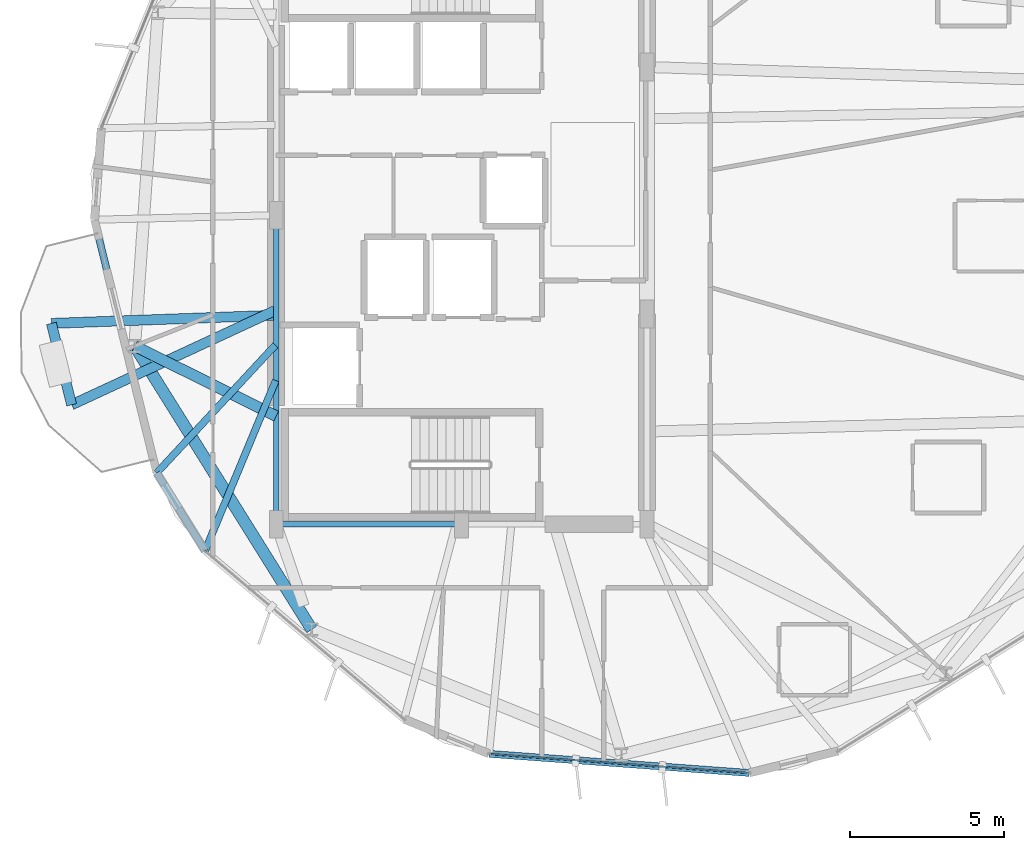
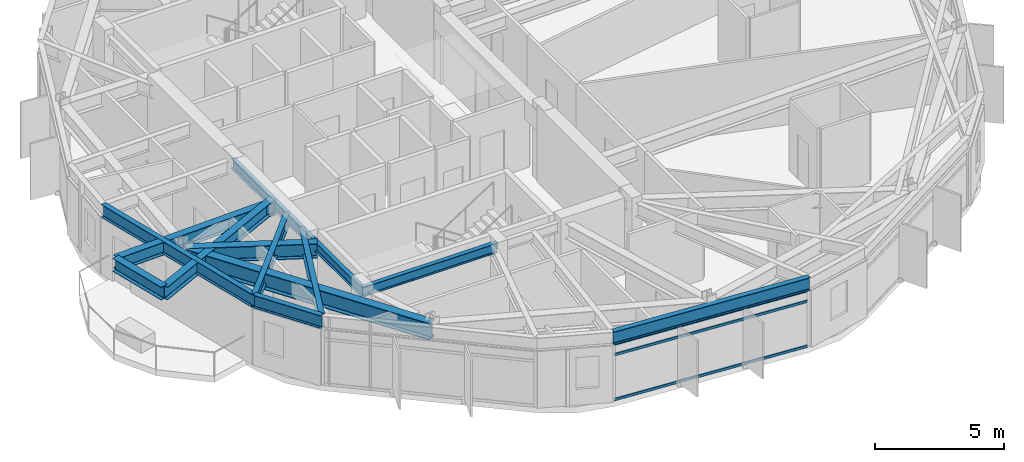
# One storey, part 3 of 21: 12 beams, 3 members, 1 element without a shape of its own.
"""IFC4 building model written with IfcOpenShell, lengths in metres."""

from ifc_helpers import new_model, si_unit, direction, frame, origin, origin_2d, place, context, subcontext, project, spatial, hollow_rectangle, i_section, extrude, material, layer, layer_set, material_profile, profile_set, type_object, element, aggregate, save


model = new_model("IFC4")

# Units and contexts
model_context = context("Model", 3, precision=1e-05, world=origin(), true_north=direction((0.0, 1.0)))
body_context = subcontext(model_context, "Body", "Model", "MODEL_VIEW")
ifc_project = project(units=[si_unit("LENGTHUNIT", "METRE"), si_unit("AREAUNIT", "SQUARE_METRE"), si_unit("VOLUMEUNIT", "CUBIC_METRE"), si_unit("PLANEANGLEUNIT", "RADIAN"), si_unit("MASSUNIT", "GRAM", prefix="KILO")], contexts=[model_context])

# Site, building, storey
site_placement = place(None, origin())
site = spatial("IfcSite", under=ifc_project, at=site_placement, CompositionType="ELEMENT")
building_placement = place(site_placement, origin())
building = spatial("IfcBuilding", under=site, at=building_placement, Name="Soratama Intermodal Tower", CompositionType="ELEMENT")
storey_placement = place(building_placement, frame((0.0, 0.0, 153.39990234375)))
storey = spatial("IfcBuildingStorey", under=building, at=storey_placement, Name="L37", CompositionType="ELEMENT", Elevation=153.39990234375)

# Beams
ifc_material_1 = material(Name="Structural steel ASTM A992 Grade 50", Category="steel")
ifc_material_profile_1 = material_profile(ifc_material_1, i_section(OverallWidth=0.324951171875, OverallDepth=0.615966796875, WebThickness=0.013916015625, FlangeThickness=0.021484375, FilletRadius=0.013916015625, at=origin_2d()), Name="W24X117")
ifc_profile_set_1 = profile_set([ifc_material_profile_1], Name="Structural steel ASTM A992 Grade 50")
beam_type_1 = type_object("IfcBeamType", Name="BM-CANT-W24X117", PredefinedType="BEAM", material=ifc_profile_set_1)
beam_1_placement = place(storey_placement, frame((25.323974609375, 21.5, 2.9921875), z_axis=(0.241667874817, -0.970359025455, 0.0), x_axis=(0.970359025455, 0.241667874817, 0.0)))
element("IfcBeam", 1, at=beam_1_placement, inside=storey, type_object=beam_type_1, Name="BM-L37-CBHDR-3", PredefinedType="BEAM", context=body_context, shape_type="SweptSolid", body=[
    extrude(i_section(OverallWidth=0.324951171875, OverallDepth=0.615966796875, WebThickness=0.013916015625, FlangeThickness=0.021484375, FilletRadius=0.013916015625, at=origin_2d()), origin(), (0.0, 0.0, 1.0), 2.714599609375),
])
beam_2_placement = place(storey_placement, frame((32.56005859375, 21.763916015625, 2.9921875), z_axis=(-0.999335551567, -0.036447981755, 0.0), x_axis=(0.036447981755, -0.999335551567, 0.0)))
element("IfcBeam", 2, at=beam_2_placement, inside=storey, type_object=beam_type_1, Name="BM-L37-CANT-3-1", PredefinedType="BEAM", context=body_context, shape_type="SweptSolid", body=[
    extrude(i_section(OverallWidth=0.324951171875, OverallDepth=0.615966796875, WebThickness=0.013916015625, FlangeThickness=0.021484375, FilletRadius=0.013916015625, at=origin_2d()), origin(), (0.0, 0.0, 1.0), 7.240966796875),
])
beam_3_placement = place(storey_placement, frame((32.56396484375, 21.9189453125, 2.9921875), z_axis=(-0.907212609775, -0.420672414908, 0.0), x_axis=(0.420672414908, -0.907212609775, 0.0)))
element("IfcBeam", 3, at=beam_3_placement, inside=storey, type_object=beam_type_1, Name="BM-L37-CANT-3-2", PredefinedType="BEAM", context=body_context, shape_type="SweptSolid", body=[
    extrude(i_section(OverallWidth=0.324951171875, OverallDepth=0.615966796875, WebThickness=0.013916015625, FlangeThickness=0.021484375, FilletRadius=0.013916015625, at=origin_2d()), origin(), (0.0, 0.0, 1.0), 7.25732421875),
])
ifc_material_2 = material(Name="Structural steel ASTM A992 Grade 50", Category="steel")
ifc_material_profile_2 = material_profile(ifc_material_2, i_section(OverallWidth=0.19091796875, OverallDepth=0.4599609375, WebThickness=0.010009765625, FlangeThickness=0.01611328125, FilletRadius=0.010986328125, at=origin_2d()), Name="W18X55")
ifc_profile_set_2 = profile_set([ifc_material_profile_2], Name="Structural steel ASTM A992 Grade 50")
beam_type_2 = type_object("IfcBeamType", Name="BM-FLR-W18X55", PredefinedType="BEAM", material=ifc_profile_set_2)
beam_4_placement = place(storey_placement, frame((32.60009765625, 15.0, 3.070068359375), z_axis=(1.0, 0.0, 0.0), x_axis=(0.0, 1.0, 0.0)))
element("IfcBeam", 4, at=beam_4_placement, inside=storey, type_object=beam_type_2, Name="BM-L37-CRING-01", PredefinedType="BEAM", context=body_context, shape_type="SweptSolid", body=[
    extrude(i_section(OverallWidth=0.19091796875, OverallDepth=0.4599609375, WebThickness=0.010009765625, FlangeThickness=0.01611328125, FilletRadius=0.010986328125, at=origin_2d()), origin(), (0.0, 0.0, 1.0), 6.0),
])
beam_5_placement = place(storey_placement, frame((32.60009765625, 25.0, 3.070068359375), z_axis=(0.0, -1.0, 0.0), x_axis=(1.0, 0.0, 0.0)))
element("IfcBeam", 5, at=beam_5_placement, inside=storey, type_object=beam_type_2, Name="BM-L37-CRING-09", PredefinedType="BEAM", context=body_context, shape_type="SweptSolid", body=[
    extrude(i_section(OverallWidth=0.19091796875, OverallDepth=0.4599609375, WebThickness=0.010009765625, FlangeThickness=0.01611328125, FilletRadius=0.010986328125, at=origin_2d()), origin(), (0.0, 0.0, 1.0), 10.0),
])
ifc_material_3 = material(Name="Structural steel ASTM A992 Grade 50", Category="steel")
ifc_material_profile_3 = material_profile(ifc_material_3, i_section(OverallWidth=0.35498046875, OverallDepth=0.695068359375, WebThickness=0.015380859375, FlangeThickness=0.02490234375, FilletRadius=0.01611328125, at=origin_2d()), Name="W27X146")
ifc_profile_set_3 = profile_set([ifc_material_profile_3], Name="Structural steel ASTM A992 Grade 50")
beam_type_3 = type_object("IfcBeamType", Name="BM-RING-W27X146", PredefinedType="BEAM", material=ifc_profile_set_3)
beam_6_placement = place(storey_placement, frame((32.60009765625, 18.5, 2.95263671875), z_axis=(-0.89629219718, 0.443463975172, 0.0), x_axis=(-0.443463975172, -0.89629219718, 0.0)))
element("IfcBeam", 6, at=beam_6_placement, inside=storey, type_object=beam_type_3, Name="BM-L37-RAD-06", PredefinedType="BEAM", context=body_context, shape_type="SweptSolid", body=[
    extrude(i_section(OverallWidth=0.35498046875, OverallDepth=0.695068359375, WebThickness=0.015380859375, FlangeThickness=0.02490234375, FilletRadius=0.01611328125, at=origin_2d()), origin(), (0.0, 0.0, 1.0), 5.110107421875),
])
ifc_material_4 = material(Name="Structural steel ASTM A992 Grade 50", Category="steel")
ifc_material_profile_4 = material_profile(ifc_material_4, i_section(OverallWidth=0.382080078125, OverallDepth=0.779052734375, WebThickness=0.01806640625, FlangeThickness=0.030029296875, FilletRadius=0.01806640625, at=origin_2d()), Name="W30X191")
ifc_profile_set_4 = profile_set([ifc_material_profile_4], Name="Structural steel ASTM A992 Grade 50")
beam_type_4 = type_object("IfcBeamType", Name="BM-RING-W30X191", PredefinedType="BEAM", material=ifc_profile_set_4)
beam_7_placement = place(storey_placement, frame((28.02001953125, 20.76611328125, 2.91064453125), z_axis=(0.529891394359, -0.84806551055, 0.0), x_axis=(0.84806551055, 0.529891394359, 0.0)))
element("IfcBeam", 7, at=beam_7_placement, inside=storey, type_object=beam_type_4, Name="BM-L37-RING-06", PredefinedType="BEAM", context=body_context, shape_type="SweptSolid", body=[
    extrude(i_section(OverallWidth=0.382080078125, OverallDepth=0.779052734375, WebThickness=0.01806640625, FlangeThickness=0.030029296875, FilletRadius=0.01806640625, at=origin_2d()), origin(), (0.0, 0.0, 1.0), 10.8154296875),
])
ifc_material_5 = material(Name="Structural steel ASTM A992 Grade 50", Category="steel")
ifc_material_profile_5 = material_profile(ifc_material_5, i_section(OverallWidth=0.22900390625, OverallDepth=0.612060546875, WebThickness=0.011962890625, FlangeThickness=0.01953125, FilletRadius=0.012939453125, at=origin_2d()), Name="W24X84")
ifc_profile_set_5 = profile_set([ifc_material_profile_5], Name="Structural steel ASTM A992 Grade 50")
beam_type_5 = type_object("IfcBeamType", Name="BM-SPN-W24X84", PredefinedType="SPANDREL", material=ifc_profile_set_5)
beam_8_placement = place(storey_placement, frame((26.718017578125, 24.85498046875, 2.994140625), z_axis=(0.238619979589, -0.971113023979, 0.0), x_axis=(0.971113023979, 0.238619979589, 0.0)))
element("IfcBeam", 8, at=beam_8_placement, inside=storey, type_object=beam_type_5, Name="BS-L37-F05", PredefinedType="SPANDREL", context=body_context, shape_type="SweptSolid", body=[
    extrude(i_section(OverallWidth=0.22900390625, OverallDepth=0.612060546875, WebThickness=0.011962890625, FlangeThickness=0.01953125, FilletRadius=0.012939453125, at=origin_2d()), origin(), (0.0, 0.0, 1.0), 8.43994140625),
])
beam_9_placement = place(storey_placement, frame((28.73193359375, 16.658935546875, 2.994140625), z_axis=(0.526785124178, -0.849998489966, 0.0), x_axis=(0.849998489966, 0.526785124178, 0.0)))
element("IfcBeam", 9, at=beam_9_placement, inside=storey, type_object=beam_type_5, Name="BS-L37-CRN05", PredefinedType="SPANDREL", context=body_context, shape_type="SweptSolid", body=[
    extrude(i_section(OverallWidth=0.22900390625, OverallDepth=0.612060546875, WebThickness=0.011962890625, FlangeThickness=0.01953125, FilletRadius=0.012939453125, at=origin_2d()), origin(), (0.0, 0.0, 1.0), 2.967041015625),
])
beam_10_placement = place(storey_placement, frame((39.488037109375, 7.568115234375, 2.994140625), z_axis=(0.997314589032, -0.073236674577, 0.0), x_axis=(0.073236674577, 0.997314589032, 0.0)))
element("IfcBeam", 10, at=beam_10_placement, inside=storey, type_object=beam_type_5, Name="BS-L37-F07", PredefinedType="SPANDREL", context=body_context, shape_type="SweptSolid", body=[
    extrude(i_section(OverallWidth=0.22900390625, OverallDepth=0.612060546875, WebThickness=0.011962890625, FlangeThickness=0.01953125, FilletRadius=0.012939453125, at=origin_2d()), origin(), (0.0, 0.0, 1.0), 8.440673828125),
])
ifc_material_6 = material(Name="Structural steel ASTM A992 Grade 50", Category="steel")
ifc_material_profile_6 = material_profile(ifc_material_6, i_section(OverallWidth=0.22900390625, OverallDepth=0.612060546875, WebThickness=0.011962890625, FlangeThickness=0.01953125, FilletRadius=0.012939453125, at=origin_2d()), Name="W24X84")
ifc_profile_set_6 = profile_set([ifc_material_profile_6], Name="Structural steel ASTM A992 Grade 50")
beam_type_6 = type_object("IfcBeamType", Name="BM-TIE-W24X84", PredefinedType="BEAM", material=ifc_profile_set_6)
beam_11_placement = place(storey_placement, frame((32.572998046875, 20.799072265625, 2.994140625), z_axis=(-0.680132675151, -0.733089042472, 0.0), x_axis=(0.733089042472, -0.680132675151, 0.0)))
element("IfcBeam", 11, at=beam_11_placement, inside=storey, type_object=beam_type_6, Name="BM-L37-TIE1-05", PredefinedType="BEAM", context=body_context, shape_type="SweptSolid", body=[
    extrude(i_section(OverallWidth=0.22900390625, OverallDepth=0.612060546875, WebThickness=0.011962890625, FlangeThickness=0.01953125, FilletRadius=0.012939453125, at=origin_2d()), origin(), (0.0, 0.0, 1.0), 5.6474609375),
])
beam_12_placement = place(storey_placement, frame((32.5849609375, 19.653076171875, 2.994140625), z_axis=(-0.383425040143, -0.923571999679, 0.0), x_axis=(0.923571999679, -0.383425040143, 0.0)))
element("IfcBeam", 12, at=beam_12_placement, inside=storey, type_object=beam_type_6, Name="BM-L37-TIE0-06", PredefinedType="BEAM", context=body_context, shape_type="SweptSolid", body=[
    extrude(i_section(OverallWidth=0.22900390625, OverallDepth=0.612060546875, WebThickness=0.011962890625, FlangeThickness=0.01953125, FilletRadius=0.012939453125, at=origin_2d()), origin(), (0.0, 0.0, 1.0), 5.97265625),
])

# Curtain wall, members
ifc_material_7 = material(Name="Double-glazed aluminium curtain wall", Category="aluminium")
ifc_layer = layer(ifc_material_7, 0.159912109375)
ifc_layer_set = layer_set([ifc_layer], Name="Double-glazed aluminium curtain wall")
curtain_wall_type = type_object("IfcCurtainWallType", Name="CW-SYS-4", PredefinedType="NOTDEFINED", material=ifc_layer_set)
curtain_wall_placement = place(storey_placement, origin())
curtain_wall = element("IfcCurtainWall", 13, at=curtain_wall_placement, inside=storey, type_object=curtain_wall_type, Name="L37 Faceted Curtain Wall F07", PredefinedType="NOTDEFINED")
ifc_material_8 = material(Name="Anodised aluminium AA 6063-T6", Category="aluminium")
ifc_material_profile_7 = material_profile(ifc_material_8, hollow_rectangle(XDim=0.06005859375, YDim=0.1298828125, WallThickness=0.0048828125, InnerFilletRadius=0.0048828125, OuterFilletRadius=0.010009765625, at=origin_2d()), Name="CWT130X60X5")
ifc_profile_set_7 = profile_set([ifc_material_profile_7], Name="Anodised aluminium AA 6063-T6")
member_type = type_object("IfcMemberType", Name="TT-CWT-2", PredefinedType="USERDEFINED", material=ifc_profile_set_7)
member_1_placement = place(storey_placement, frame((39.548095703125, 7.56396484375, 0.030029296875), z_axis=(0.997314468944, -0.073238309879, 0.0), x_axis=(0.073238309879, 0.997314468944, 0.0)))
member_1 = element("IfcMember", 14, at=member_1_placement, type_object=member_type, Name="CW-4 transom 1.1", ObjectType="TRANSOM", PredefinedType="USERDEFINED", context=body_context, shape_type="SweptSolid", body=[
    extrude(hollow_rectangle(XDim=0.06005859375, YDim=0.1298828125, WallThickness=0.0048828125, InnerFilletRadius=0.0048828125, OuterFilletRadius=0.010009765625, at=origin_2d()), origin(), (0.0, 0.0, 1.0), 8.320556640625),
])
member_2_placement = place(storey_placement, frame((39.548095703125, 7.56396484375, 2.150146484375), z_axis=(0.997314468944, -0.073238309879, 0.0), x_axis=(0.073238309879, 0.997314468944, 0.0)))
member_2 = element("IfcMember", 15, at=member_2_placement, type_object=member_type, Name="CW-4 transom 1.2", ObjectType="TRANSOM", PredefinedType="USERDEFINED", context=body_context, shape_type="SweptSolid", body=[
    extrude(hollow_rectangle(XDim=0.06005859375, YDim=0.1298828125, WallThickness=0.0048828125, InnerFilletRadius=0.0048828125, OuterFilletRadius=0.010009765625, at=origin_2d()), origin(), (0.0, 0.0, 1.0), 8.320556640625),
])
member_3_placement = place(storey_placement, frame((39.548095703125, 7.56396484375, 2.649169921875), z_axis=(0.997314468944, -0.073238309879, 0.0), x_axis=(0.073238309879, 0.997314468944, 0.0)))
member_3 = element("IfcMember", 16, at=member_3_placement, type_object=member_type, Name="CW-4 transom 1.3", ObjectType="TRANSOM", PredefinedType="USERDEFINED", context=body_context, shape_type="SweptSolid", body=[
    extrude(hollow_rectangle(XDim=0.06005859375, YDim=0.1298828125, WallThickness=0.0048828125, InnerFilletRadius=0.0048828125, OuterFilletRadius=0.010009765625, at=origin_2d()), origin(), (0.0, 0.0, 1.0), 8.320556640625),
])
aggregate(curtain_wall, [member_1, member_2, member_3])

save(model, "model.ifc")
